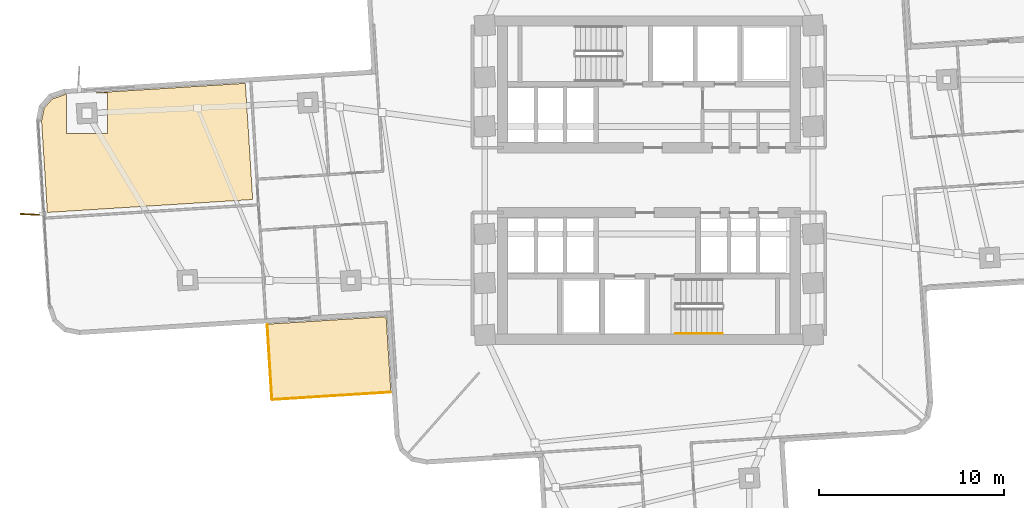
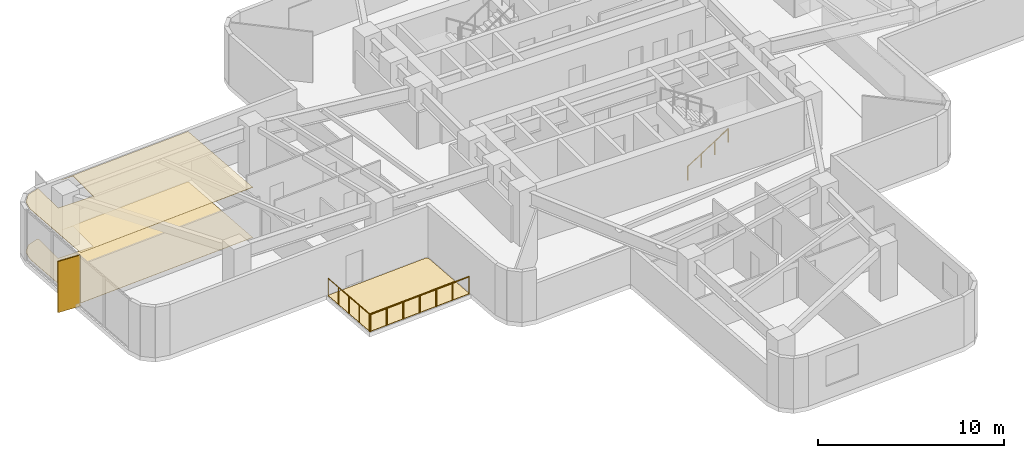
# One storey, part 13 of 16: 3 coverings, 3 railings, 1 shading device.
"""IFC4 building model written with IfcOpenShell, lengths in metres."""

from ifc_helpers import new_model, si_unit, direction, frame, origin, origin_2d, place, context, subcontext, project, spatial, polyline, rectangle, circle, outline, extrude, material, layer, layer_set, type_object, element, save


model = new_model("IFC4")

# Units and contexts
model_context = context("Model", 3, precision=1e-05, world=origin(), true_north=direction((0.0, 1.0)))
body_context = subcontext(model_context, "Body", "Model", "MODEL_VIEW")
ifc_project = project(units=[si_unit("LENGTHUNIT", "METRE"), si_unit("AREAUNIT", "SQUARE_METRE"), si_unit("VOLUMEUNIT", "CUBIC_METRE"), si_unit("PLANEANGLEUNIT", "RADIAN"), si_unit("MASSUNIT", "GRAM", prefix="KILO")], contexts=[model_context])

# Site, building, storey
site_placement = place(None, origin())
site = spatial("IfcSite", under=ifc_project, at=site_placement, CompositionType="ELEMENT")
building_placement = place(site_placement, origin())
building = spatial("IfcBuilding", under=site, at=building_placement, Name="Solmarez Civic Tower", CompositionType="ELEMENT")
storey_placement = place(building_placement, frame((0.0, 0.0, 53.280029296875)))
storey = spatial("IfcBuildingStorey", under=building, at=storey_placement, Name="L13", CompositionType="ELEMENT", Elevation=53.280029296875)

# Coverings
ifc_material_1 = material(Name="Perforated Mineral-Fibre Acoustic Ceiling")
ifc_layer_1 = layer(ifc_material_1, 0.02490234375)
ifc_layer_set_1 = layer_set([ifc_layer_1], Name="Perforated Mineral-Fibre Acoustic Ceiling")
covering_type_1 = type_object("IfcCoveringType", Name="COV-CEIL-ACOUSTIC", PredefinedType="CEILING", material=ifc_layer_set_1)
covering_1_placement = place(storey_placement, frame((0.0, 0.0, 3.294921875)))
element("IfcCovering", 1, at=covering_1_placement, inside=storey, type_object=covering_type_1, Name="L13 Suspended Acoustic Ceiling 2", PredefinedType="CEILING", context=body_context, shape_type="SweptSolid", body=[
    extrude(outline(polyline([(-21.77099609375, 5.22412109375), (-29.944091796875, 4.708984375), (-29.218017578125, 4.708984375), (-29.218017578125, 2.509033203125), (-31.41796875, 2.509033203125), (-31.41796875, 4.615966796875), (-31.511962890625, 4.610107421875), (-32.18408203125, 4.384033203125), (-32.625, 3.884033203125), (-32.764892578125, 3.18994140625), (-32.4541015625, -1.741943359375), (-21.3759765625, -1.0439453125), (-21.77099609375, 5.22412109375)])), origin(), (0.0, 0.0, 1.0), 0.025146484375),
])
ifc_material_2 = material(Name="Polished Tropical Stone Terrazzo Flooring", Category="masonry")
ifc_layer_2 = layer(ifc_material_2, 0.02001953125)
ifc_layer_set_2 = layer_set([ifc_layer_2], Name="Polished Tropical Stone Terrazzo Flooring")
covering_type_2 = type_object("IfcCoveringType", Name="COV-FLOOR-TERRAZZO", PredefinedType="FLOORING", material=ifc_layer_set_2)
covering_2_placement = place(storey_placement, origin())
element("IfcCovering", 2, at=covering_2_placement, inside=storey, type_object=covering_type_2, Name="L13 Terrazzo Floor Finish 2", PredefinedType="FLOORING", context=body_context, shape_type="SweptSolid", body=[
    extrude(outline(polyline([(-21.77099609375, 5.22412109375), (-29.944091796875, 4.708984375), (-29.218017578125, 4.708984375), (-29.218017578125, 2.509033203125), (-31.41796875, 2.509033203125), (-31.41796875, 4.615966796875), (-31.511962890625, 4.610107421875), (-32.18408203125, 4.384033203125), (-32.625, 3.884033203125), (-32.764892578125, 3.18994140625), (-32.4541015625, -1.741943359375), (-21.3759765625, -1.0439453125), (-21.77099609375, 5.22412109375)])), origin(), (0.0, 0.0, 1.0), 0.02001953125),
])
ifc_material_3 = material(Name="Elastomeric Terrace Waterproofing Membrane")
ifc_layer_3 = layer(ifc_material_3, 0.030029296875)
ifc_layer_set_3 = layer_set([ifc_layer_3], Name="Elastomeric Terrace Waterproofing Membrane")
covering_type_3 = type_object("IfcCoveringType", Name="COV-MEMBRANE-ROOF", PredefinedType="ROOFING", material=ifc_layer_set_3)
covering_3_placement = place(storey_placement, origin())
element("IfcCovering", 3, at=covering_3_placement, inside=storey, type_object=covering_type_3, Name="L13 Balcony Waterproofing SW", PredefinedType="ROOFING", context=body_context, shape_type="SweptSolid", body=[
    extrude(outline(polyline([(-14.1669921875, -7.52392578125), (-14.208984375, -7.402099609375), (-14.333984375, -7.3759765625), (-20.592041015625, -7.77001953125), (-20.3369140625, -11.840087890625), (-13.922119140625, -11.43701171875), (-14.1669921875, -7.52392578125)])), origin(), (0.0, 0.0, 1.0), 0.030029296875),
])

# Shading device
ifc_material_4 = material(Name="Bronze Anodised Aluminium EN AW-6063 T6", Category="aluminium")
ifc_layer_4 = layer(ifc_material_4, 0.06494140625)
ifc_layer_set_4 = layer_set([ifc_layer_4], Name="Bronze Anodised Aluminium EN AW-6063 T6")
shading_device_type = type_object("IfcShadingDeviceType", Name="FIN-BRONZE-Z12", PredefinedType="USERDEFINED", material=ifc_layer_set_4)
shading_device_placement = place(storey_placement, frame((-33.25390625, -1.85205078125, -0.0400390625), z_axis=(0.0, 0.0, 1.0), x_axis=(-0.998701636071, 0.050941555809, 0.0)))
element("IfcShadingDevice", 4, at=shading_device_placement, inside=storey, type_object=shading_device_type, Name="L13 Anodised Bronze Solar Fin FIN-L13-01", ObjectType="FIN", PredefinedType="USERDEFINED", context=body_context, shape_type="SweptSolid", body=[
    extrude(rectangle(XDim=1.35009765625, YDim=0.06494140625, at=origin_2d()), origin(), (0.0, 0.0, 1.0), 3.360107421875),
])

# Railings
ifc_material_5 = material(Name="Bronze Anodised Aluminium and Laminated Safety Glass Balustrade", Category="aluminium")
railing_type_1 = type_object("IfcRailingType", Name="GUARD-TERR-1180", PredefinedType="BALUSTRADE", material=ifc_material_5)
railing_1_placement = place(storey_placement, frame((-20.590087890625, -7.804931640625, 0.0)))
element("IfcRailing", 5, at=railing_1_placement, inside=storey, type_object=railing_type_1, Name="L13 Safety Balustrade GRD-BALC-L13-SW-1", PredefinedType="BALUSTRADE", context=body_context, shape_type="SweptSolid", body=[
    extrude(circle(Radius=0.02392578125, at=origin_2d()), frame((0.0, 0.0, 1.15576171875), z_axis=(0.062620997681, -0.998037379385, 0.0), x_axis=(0.998037379385, 0.062620997681, 0.0)), (0.0, 0.0, 1.0), 4.0078125),
    extrude(circle(Radius=0.02099609375, at=origin_2d()), origin(), (0.0, 0.0, 1.0), 1.1318359375),
    extrude(circle(Radius=0.02099609375, at=origin_2d()), frame((0.062744140625, -1.0, 0.0)), (0.0, 0.0, 1.0), 1.1318359375),
    extrude(circle(Radius=0.02099609375, at=origin_2d()), frame((0.12548828125, -2.0, 0.0)), (0.0, 0.0, 1.0), 1.1318359375),
    extrude(circle(Radius=0.02099609375, at=origin_2d()), frame((0.188232421875, -3.0, 0.0)), (0.0, 0.0, 1.0), 1.1318359375),
    extrude(circle(Radius=0.02099609375, at=origin_2d()), frame((0.2509765625, -4.0, 0.0)), (0.0, 0.0, 1.0), 1.1318359375),
])
railing_2_placement = place(storey_placement, frame((-20.302001953125, -11.837890625, 0.0)))
element("IfcRailing", 6, at=railing_2_placement, inside=storey, type_object=railing_type_1, Name="L13 Safety Balustrade GRD-BALC-L13-SW-2", PredefinedType="BALUSTRADE", context=body_context, shape_type="SweptSolid", body=[
    extrude(circle(Radius=0.02392578125, at=origin_2d()), frame((0.0, 0.0, 1.15576171875), z_axis=(0.998029348953, 0.062748853599, 0.0), x_axis=(-0.062748853599, 0.998029348953, 0.0)), (0.0, 0.0, 1.0), 6.357421875),
    extrude(circle(Radius=0.02099609375, at=origin_2d()), origin(), (0.0, 0.0, 1.0), 1.1318359375),
    extrude(circle(Radius=0.02099609375, at=origin_2d()), frame((1.0576171875, 0.06640625, 0.0)), (0.0, 0.0, 1.0), 1.1318359375),
    extrude(circle(Radius=0.02099609375, at=origin_2d()), frame((2.114990234375, 0.133056640625, 0.0)), (0.0, 0.0, 1.0), 1.1318359375),
    extrude(circle(Radius=0.02099609375, at=origin_2d()), frame((3.17236328125, 0.199462890625, 0.0)), (0.0, 0.0, 1.0), 1.1318359375),
    extrude(circle(Radius=0.02099609375, at=origin_2d()), frame((4.22998046875, 0.265869140625, 0.0)), (0.0, 0.0, 1.0), 1.1318359375),
    extrude(circle(Radius=0.02099609375, at=origin_2d()), frame((5.28759765625, 0.33251953125, 0.0)), (0.0, 0.0, 1.0), 1.1318359375),
    extrude(circle(Radius=0.02099609375, at=origin_2d()), frame((6.344970703125, 0.39892578125, 0.0)), (0.0, 0.0, 1.0), 1.1318359375),
])
ifc_material_6 = material(Name="Brushed Stainless Steel Tube Handrail", Category="steel")
railing_type_2 = type_object("IfcRailingType", Name="HANDRAIL-STAIR-900", PredefinedType="HANDRAIL", material=ifc_material_6)
railing_3_placement = place(storey_placement, frame((1.449951171875, -8.27001953125, 0.179931640625)))
element("IfcRailing", 7, at=railing_3_placement, inside=storey, type_object=railing_type_2, Name="L13 ST-2 stair handrail 1", PredefinedType="HANDRAIL", context=body_context, shape_type="SweptSolid", body=[
    extrude(circle(Radius=0.02392578125, at=origin_2d()), frame((0.0, 0.0, 0.8759765625), z_axis=(0.841162588446, 0.0, 0.540782303519), x_axis=(0.0, 1.0, 0.0)), (0.0, 0.0, 1.0), 2.995849609375),
    extrude(circle(Radius=0.02099609375, at=origin_2d()), origin(), (0.0, 0.0, 1.0), 0.851806640625),
    extrude(circle(Radius=0.02099609375, at=origin_2d()), frame((0.840087890625, 0.0, 0.5400390625)), (0.0, 0.0, 1.0), 0.851806640625),
    extrude(circle(Radius=0.02099609375, at=origin_2d()), frame((1.679931640625, 0.0, 1.080078125)), (0.0, 0.0, 1.0), 0.851806640625),
    extrude(circle(Radius=0.02099609375, at=origin_2d()), frame((2.52001953125, 0.0, 1.6201171875)), (0.0, 0.0, 1.0), 0.851806640625),
])

save(model, "model.ifc")
